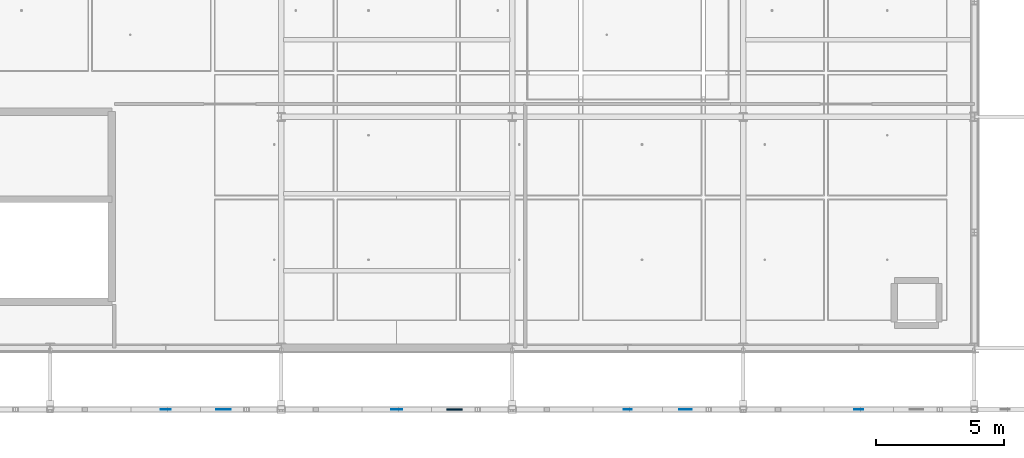
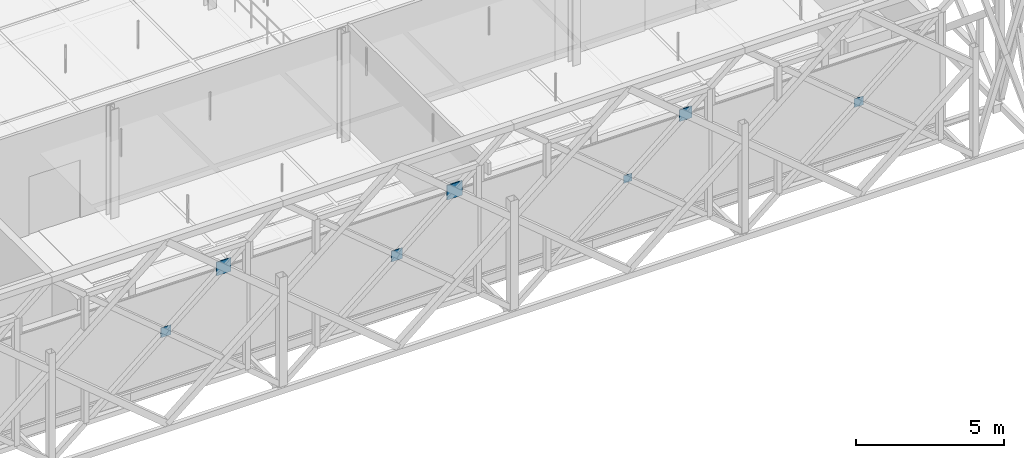
# One storey, part 38 of 66: 7 plates.
"""IFC4 building model written with IfcOpenShell, lengths in metres."""

from ifc_helpers import new_model, si_unit, direction, frame, origin, origin_2d, place, context, subcontext, project, spatial, rectangle, extrude, material, layer, layer_set, type_object, element, save


model = new_model("IFC4")

# Units and contexts
model_context = context("Model", 3, precision=1e-05, world=origin(), true_north=direction((0.0, 1.0)))
body_context = subcontext(model_context, "Body", "Model", "MODEL_VIEW")
ifc_project = project(units=[si_unit("LENGTHUNIT", "METRE"), si_unit("AREAUNIT", "SQUARE_METRE"), si_unit("VOLUMEUNIT", "CUBIC_METRE"), si_unit("PLANEANGLEUNIT", "RADIAN"), si_unit("MASSUNIT", "GRAM", prefix="KILO"), si_unit("THERMODYNAMICTEMPERATUREUNIT", "KELVIN"), si_unit("POWERUNIT", "WATT")], contexts=[model_context])

# Site, building, storey
site_placement = place(None, origin())
site = spatial("IfcSite", under=ifc_project, at=site_placement, CompositionType="ELEMENT")
building_placement = place(site_placement, origin())
building = spatial("IfcBuilding", under=site, at=building_placement, Name="Tallowbark Science Centre", CompositionType="ELEMENT")
storey_placement = place(building_placement, frame((0.0, 0.0, 18.89990234375)))
storey = spatial("IfcBuildingStorey", under=building, at=storey_placement, Name="L04", CompositionType="ELEMENT", Elevation=18.89990234375)

# Plates
ifc_material = material(Name="Structural Steel Grade 300PLUS (300 MPa)", Category="steel")
ifc_layer_1 = layer(ifc_material, 0.011962890625)
ifc_layer_set_1 = layer_set([ifc_layer_1], Name="Structural Steel Grade 300PLUS (300 MPa)")
plate_type_1 = type_object("IfcPlateType", Name="PLT-GUS-12", PredefinedType="SHEET", material=ifc_layer_set_1)
plate_1_placement = place(storey_placement, frame((90.0, 2.10009765625, 3.58984375), z_axis=(0.0, 0.0, 1.0), x_axis=(1.0, 0.0, 0.0)))
element("IfcPlate", 1, at=plate_1_placement, inside=storey, type_object=plate_type_1, Name="Star X-Brace Crossing Gusset Plate S-42", PredefinedType="SHEET", context=body_context, shape_type="SweptSolid", body=[
    extrude(rectangle(XDim=0.320068359375, YDim=0.011962890625, at=origin_2d()), origin(), (0.0, 0.0, 1.0), 0.320068359375),
])
ifc_layer_2 = layer(ifc_material, 0.01611328125)
ifc_layer_set_2 = layer_set([ifc_layer_2], Name="Structural Steel Grade 300PLUS (300 MPa)")
plate_type_2 = type_object("IfcPlateType", Name="PLT-GUS-16", PredefinedType="SHEET", material=ifc_layer_set_2)
plate_2_placement = place(storey_placement, frame((99.0, 2.10009765625, 3.56982421875), z_axis=(0.0, 0.0, 1.0), x_axis=(1.0, 0.0, 0.0)))
element("IfcPlate", 2, at=plate_2_placement, inside=storey, type_object=plate_type_2, Name="Star X-Brace Crossing Gusset Plate S-44", PredefinedType="SHEET", context=body_context, shape_type="SweptSolid", body=[
    extrude(rectangle(XDim=0.360107421875, YDim=0.01611328125, at=origin_2d()), origin(), (0.0, 0.0, 1.0), 0.360107421875),
])
ifc_layer_3 = layer(ifc_material, 0.02001953125)
ifc_layer_set_3 = layer_set([ifc_layer_3], Name="Structural Steel Grade 300PLUS (300 MPa)")
plate_type_3 = type_object("IfcPlateType", Name="PLT-GUS-20", PredefinedType="SHEET", material=ifc_layer_set_3)
plate_3_placement = place(storey_placement, frame((72.0, 2.10009765625, 3.550048828125), z_axis=(0.0, 0.0, 1.0), x_axis=(1.0, 0.0, 0.0)))
element("IfcPlate", 3, at=plate_3_placement, inside=storey, type_object=plate_type_3, Name="Star X-Brace Crossing Gusset Plate S-38", PredefinedType="SHEET", context=body_context, shape_type="SweptSolid", body=[
    extrude(rectangle(XDim=0.39990234375, YDim=0.02001953125, at=origin_2d()), origin(), (0.0, 0.0, 1.0), 0.39990234375),
])
ifc_layer_4 = layer(ifc_material, 0.02392578125)
ifc_layer_set_4 = layer_set([ifc_layer_4], Name="Structural Steel Grade 300PLUS (300 MPa)")
plate_type_4 = type_object("IfcPlateType", Name="PLT-GUS-24", PredefinedType="SHEET", material=ifc_layer_set_4)
plate_4_placement = place(storey_placement, frame((81.0, 2.10009765625, 3.530029296875), z_axis=(0.0, 0.0, 1.0), x_axis=(1.0, 0.0, 0.0)))
element("IfcPlate", 4, at=plate_4_placement, inside=storey, type_object=plate_type_4, Name="Star X-Brace Crossing Gusset Plate S-40", PredefinedType="SHEET", context=body_context, shape_type="SweptSolid", body=[
    extrude(rectangle(XDim=0.43994140625, YDim=0.02392578125, at=origin_2d()), origin(), (0.0, 0.0, 1.0), 0.43994140625),
])
ifc_layer_5 = layer(ifc_material, 0.028076171875)
ifc_layer_set_5 = layer_set([ifc_layer_5], Name="Structural Steel Grade 300PLUS (300 MPa)")
plate_type_5 = type_object("IfcPlateType", Name="PLT-GUS-28", PredefinedType="SHEET", material=ifc_layer_set_5)
plate_5_placement = place(storey_placement, frame((92.25, 2.10009765625, 5.385009765625), z_axis=(0.0, 0.0, 1.0), x_axis=(1.0, 0.0, 0.0)))
element("IfcPlate", 5, at=plate_5_placement, inside=storey, type_object=plate_type_5, Name="Star Primary Chord Crossing Gusset Plate S-42", PredefinedType="SHEET", context=body_context, shape_type="SweptSolid", body=[
    extrude(rectangle(XDim=0.47998046875, YDim=0.028076171875, at=origin_2d()), origin(), (0.0, 0.0, 1.0), 0.47998046875),
])
ifc_layer_6 = layer(ifc_material, 0.035888671875)
ifc_layer_set_6 = layer_set([ifc_layer_6], Name="Structural Steel Grade 300PLUS (300 MPa)")
plate_type_6 = type_object("IfcPlateType", Name="PLT-GUS-36", PredefinedType="SHEET", material=ifc_layer_set_6)
plate_6_placement = place(storey_placement, frame((74.25, 2.10009765625, 5.344970703125), z_axis=(0.0, 0.0, 1.0), x_axis=(1.0, 0.0, 0.0)))
element("IfcPlate", 6, at=plate_6_placement, inside=storey, type_object=plate_type_6, Name="Star Primary Chord Crossing Gusset Plate S-38", PredefinedType="SHEET", context=body_context, shape_type="SweptSolid", body=[
    extrude(rectangle(XDim=0.56005859375, YDim=0.035888671875, at=origin_2d()), origin(), (0.0, 0.0, 1.0), 0.56005859375),
])
ifc_layer_7 = layer(ifc_material, 0.0400390625)
ifc_layer_set_7 = layer_set([ifc_layer_7], Name="Structural Steel Grade 300PLUS (300 MPa)")
plate_type_7 = type_object("IfcPlateType", Name="PLT-GUS-40", PredefinedType="SHEET", material=ifc_layer_set_7)
plate_7_placement = place(storey_placement, frame((83.25, 2.10009765625, 5.324951171875), z_axis=(0.0, 0.0, 1.0), x_axis=(1.0, 0.0, 0.0)))
element("IfcPlate", 7, at=plate_7_placement, inside=storey, type_object=plate_type_7, Name="Star Primary Chord Crossing Gusset Plate S-40", PredefinedType="SHEET", context=body_context, shape_type="SweptSolid", body=[
    extrude(rectangle(XDim=0.60009765625, YDim=0.0400390625, at=origin_2d()), origin(), (0.0, 0.0, 1.0), 0.60009765625),
])

save(model, "model.ifc")
